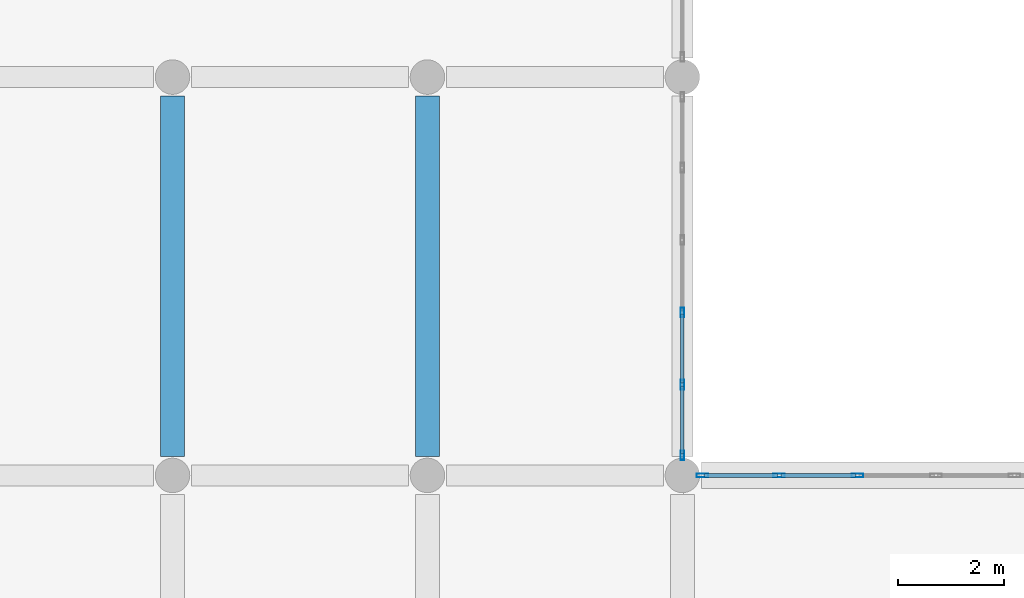
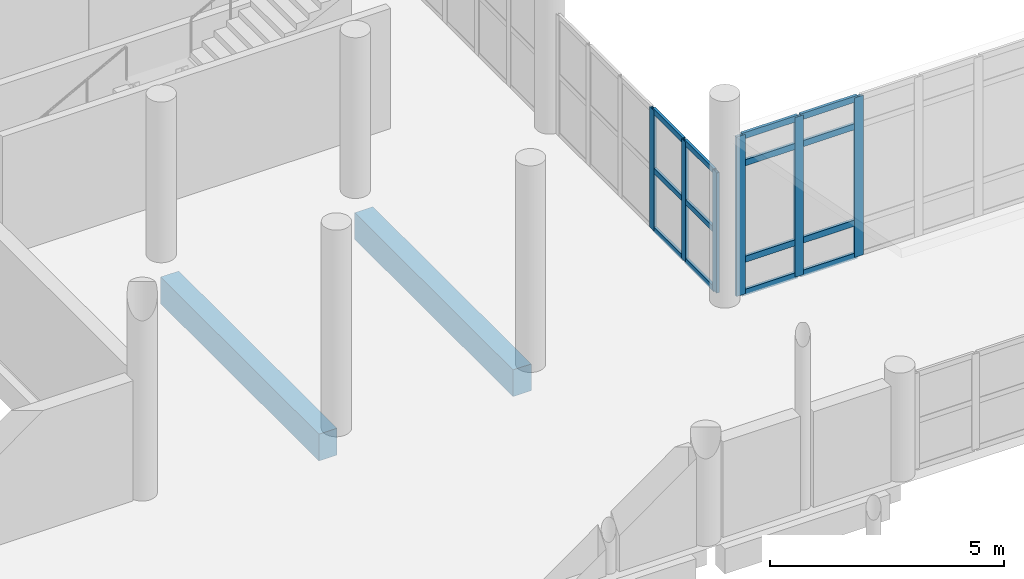
# One storey, part 61 of 164: 20 members, 2 beams, 2 elements without a shape of their own.
"""IFC4 building model written with IfcOpenShell, lengths in metres."""

from ifc_helpers import new_model, si_unit, direction, frame, origin, origin_2d, place, context, subcontext, project, spatial, rectangle, hollow_rectangle, extrude, material, layer, layer_set, material_profile, profile_set, type_object, element, aggregate, save


model = new_model("IFC4")

# Units and contexts
model_context = context("Model", 3, precision=1e-05, world=origin(), true_north=direction((0.0, 1.0)))
body_context = subcontext(model_context, "Body", "Model", "MODEL_VIEW")
ifc_project = project(units=[si_unit("LENGTHUNIT", "METRE"), si_unit("AREAUNIT", "SQUARE_METRE"), si_unit("VOLUMEUNIT", "CUBIC_METRE"), si_unit("PLANEANGLEUNIT", "RADIAN"), si_unit("MASSUNIT", "GRAM", prefix="KILO")], contexts=[model_context])

# Site, building, storey
site_placement = place(None, origin())
site = spatial("IfcSite", under=ifc_project, at=site_placement, CompositionType="ELEMENT")
building_placement = place(site_placement, origin())
building = spatial("IfcBuilding", under=site, at=building_placement, Name="Mawjan Specialist Oncology Clinic", CompositionType="ELEMENT")
storey_placement = place(building_placement, frame((0.0, 0.0, 5.0)))
storey = spatial("IfcBuildingStorey", under=building, at=storey_placement, Name="L01", CompositionType="ELEMENT", Elevation=5.0)

# Beams
ifc_material_1 = material(Name="Concrete C40/50", Category="concrete")
ifc_material_profile_1 = material_profile(ifc_material_1, rectangle(XDim=0.449951171875, YDim=0.699951171875, at=origin_2d()), Name="RC BM 450x700", Category="concrete")
ifc_profile_set_1 = profile_set([ifc_material_profile_1], Name="Concrete C40/50")
beam_type = type_object("IfcBeamType", Name="BM-450x700", PredefinedType="BEAM", material=ifc_profile_set_1)
for number, where, z_axis, x_axis, name in (
    (1, (98.39990234375, 53.659912109375, -0.64990234375), (0.0, 1.0, 0.0), (-1.0, 0.0, 0.0), "L01 Collector Beam BM-L01-0544"),
    (2, (103.199951171875, 53.659912109375, -0.64990234375), (0.0, 1.0, 0.0), (-1.0, 0.0, 0.0), "L01 Collector Beam BM-L01-0551"),
):
    element("IfcBeam", number, at=place(storey_placement, frame(where, z_axis=z_axis, x_axis=x_axis)), inside=storey, type_object=beam_type, Name=name, PredefinedType="BEAM", context=body_context, shape_type="SweptSolid", body=[
        extrude(rectangle(XDim=0.449951171875, YDim=0.699951171875, at=origin_2d()), origin(), (0.0, 0.0, 1.0), 6.780029296875),
    ])

# Curtain wall, members
ifc_material_2 = material(Name="Unitised spectrally selective aluminium curtain wall", Category="aluminium")
ifc_layer_1 = layer(ifc_material_2, 0.179931640625, Name="Unitised spectrally selective aluminium curtain wall", Category="aluminium")
ifc_layer_set_1 = layer_set([ifc_layer_1], Name="Unitised spectrally selective aluminium curtain wall")
curtain_wall_type_1 = type_object("IfcCurtainWallType", Name="CW-55", PredefinedType="NOTDEFINED", material=ifc_layer_set_1)
curtain_wall_1_placement = place(storey_placement, origin())
curtain_wall_1 = element("IfcCurtainWall", 3, at=curtain_wall_1_placement, inside=storey, type_object=curtain_wall_type_1, Name="L01 Unitised Curtain Wall CW-L01-134", PredefinedType="NOTDEFINED")
ifc_material_3 = material(Name="Thermally broken aluminium 6063-T6", Category="aluminium")
ifc_material_profile_2 = material_profile(ifc_material_3, hollow_rectangle(XDim=0.06494140625, YDim=0.179931640625, WallThickness=0.00390625, at=origin_2d()), Name="ALU MULLION 180x65x4", Category="aluminium")
ifc_profile_set_2 = profile_set([ifc_material_profile_2], Name="Thermally broken aluminium 6063-T6")
member_type_1 = type_object("IfcMemberType", Name="CW-M180", PredefinedType="MULLION", material=ifc_profile_set_2)
member_1_placement = place(storey_placement, frame((108.0, 56.368896484375, 0.0), z_axis=(0.0, 0.0, 1.0), x_axis=(1.0, 0.0, 0.0)))
member_1 = element("IfcMember", 4, at=member_1_placement, type_object=member_type_1, Name="CW-55 mullion 4", PredefinedType="MULLION", context=body_context, shape_type="SweptSolid", body=[
    extrude(hollow_rectangle(XDim=0.06494140625, YDim=0.179931640625, WallThickness=0.00390625, at=origin_2d()), origin(), (0.0, 0.0, 1.0), 3.139892578125),
])
member_2_placement = place(storey_placement, frame((108.0, 55.007080078125, 0.0), z_axis=(0.0, 0.0, 1.0), x_axis=(1.0, 0.0, 0.0)))
member_2 = element("IfcMember", 5, at=member_2_placement, type_object=member_type_1, Name="CW-55 mullion 5", PredefinedType="MULLION", context=body_context, shape_type="SweptSolid", body=[
    extrude(hollow_rectangle(XDim=0.06494140625, YDim=0.179931640625, WallThickness=0.00390625, at=origin_2d()), origin(), (0.0, 0.0, 1.0), 3.139892578125),
])
member_3_placement = place(storey_placement, frame((108.0, 53.677490234375, 0.0), z_axis=(0.0, 0.0, 1.0), x_axis=(1.0, 0.0, 0.0)))
member_3 = element("IfcMember", 6, at=member_3_placement, type_object=member_type_1, Name="CW-55 mullion 6", PredefinedType="MULLION", context=body_context, shape_type="SweptSolid", body=[
    extrude(hollow_rectangle(XDim=0.06494140625, YDim=0.179931640625, WallThickness=0.00390625, at=origin_2d()), origin(), (0.0, 0.0, 1.0), 3.139892578125),
])

ifc_material_4 = material(Name="Unitised spectrally selective aluminium curtain wall", Category="aluminium")
ifc_layer_2 = layer(ifc_material_4, 0.179931640625, Name="Unitised spectrally selective aluminium curtain wall", Category="aluminium")
ifc_layer_set_2 = layer_set([ifc_layer_2], Name="Unitised spectrally selective aluminium curtain wall")
curtain_wall_type_2 = type_object("IfcCurtainWallType", Name="CW-67", PredefinedType="NOTDEFINED", material=ifc_layer_set_2)
curtain_wall_2_placement = place(storey_placement, origin())
curtain_wall_2 = element("IfcCurtainWall", 7, at=curtain_wall_2_placement, inside=storey, type_object=curtain_wall_type_2, Name="L01 Unitised Curtain Wall CW-L01-135", PredefinedType="NOTDEFINED")
ifc_material_5 = material(Name="Thermally broken aluminium 6063-T6", Category="aluminium")
ifc_material_profile_3 = material_profile(ifc_material_5, hollow_rectangle(XDim=0.070068359375, YDim=0.219970703125, WallThickness=0.00390625, at=origin_2d()), Name="ALU MULLION 220x70x4", Category="aluminium")
ifc_profile_set_3 = profile_set([ifc_material_profile_3], Name="Thermally broken aluminium 6063-T6")
member_type_2 = type_object("IfcMemberType", Name="CW-M220", PredefinedType="MULLION", material=ifc_profile_set_3)
member_4_placement = place(storey_placement, frame((108.3798828125, 53.300048828125, 0.0), z_axis=(0.0, 0.0, 1.0), x_axis=(0.0, 1.0, 0.0)))
member_4 = element("IfcMember", 8, at=member_4_placement, type_object=member_type_2, Name="CW-67 mullion 1", PredefinedType="MULLION", context=body_context, shape_type="SweptSolid", body=[
    extrude(hollow_rectangle(XDim=0.070068359375, YDim=0.219970703125, WallThickness=0.00390625, at=origin_2d()), origin(), (0.0, 0.0, 1.0), 4.169921875),
])
member_5_placement = place(storey_placement, frame((109.822021484375, 53.300048828125, 0.0), z_axis=(0.0, 0.0, 1.0), x_axis=(0.0, 1.0, 0.0)))
member_5 = element("IfcMember", 9, at=member_5_placement, type_object=member_type_2, Name="CW-67 mullion 2", PredefinedType="MULLION", context=body_context, shape_type="SweptSolid", body=[
    extrude(hollow_rectangle(XDim=0.070068359375, YDim=0.219970703125, WallThickness=0.00390625, at=origin_2d()), origin(), (0.0, 0.0, 1.0), 4.169921875),
])
member_6_placement = place(storey_placement, frame((111.299072265625, 53.300048828125, 0.0), z_axis=(0.0, 0.0, 1.0), x_axis=(0.0, 1.0, 0.0)))
member_6 = element("IfcMember", 10, at=member_6_placement, type_object=member_type_2, Name="CW-67 mullion 3", PredefinedType="MULLION", context=body_context, shape_type="SweptSolid", body=[
    extrude(hollow_rectangle(XDim=0.070068359375, YDim=0.219970703125, WallThickness=0.00390625, at=origin_2d()), origin(), (0.0, 0.0, 1.0), 4.169921875),
])

# Member
ifc_material_6 = material(Name="Thermally broken aluminium 6063-T6", Category="aluminium")
ifc_material_profile_4 = material_profile(ifc_material_6, hollow_rectangle(XDim=0.06494140625, YDim=0.139892578125, WallThickness=0.00390625, at=origin_2d()), Name="ALU TRANSOM 140x65x4", Category="aluminium")
ifc_profile_set_4 = profile_set([ifc_material_profile_4], Name="Thermally broken aluminium 6063-T6")
member_type_3 = type_object("IfcMemberType", Name="CW-T140", PredefinedType="USERDEFINED", material=ifc_profile_set_4)
member_7_placement = place(storey_placement, frame((108.0, 56.33642578125, 0.032470703125), z_axis=(0.0, -1.0, 0.0), x_axis=(1.0, 0.0, 0.0)))
member_7 = element("IfcMember", 11, at=member_7_placement, type_object=member_type_3, Name="CW-55 transom 4.1", ObjectType="TRANSOM", PredefinedType="USERDEFINED", context=body_context, shape_type="SweptSolid", body=[
    extrude(hollow_rectangle(XDim=0.06494140625, YDim=0.139892578125, WallThickness=0.00390625, at=origin_2d()), origin(), (0.0, 0.0, 1.0), 1.296875),
])

member_8_placement = place(storey_placement, frame((108.0, 56.33642578125, 1.570068359375), z_axis=(0.0, -1.0, 0.0), x_axis=(1.0, 0.0, 0.0)))
member_8 = element("IfcMember", 12, at=member_8_placement, type_object=member_type_3, Name="CW-55 transom 4.2", ObjectType="TRANSOM", PredefinedType="USERDEFINED", context=body_context, shape_type="SweptSolid", body=[
    extrude(hollow_rectangle(XDim=0.06494140625, YDim=0.139892578125, WallThickness=0.00390625, at=origin_2d()), origin(), (0.0, 0.0, 1.0), 1.296875),
])

member_9_placement = place(storey_placement, frame((108.0, 56.33642578125, 3.107421875), z_axis=(0.0, -1.0, 0.0), x_axis=(1.0, 0.0, 0.0)))
member_9 = element("IfcMember", 13, at=member_9_placement, type_object=member_type_3, Name="CW-55 transom 4.3", ObjectType="TRANSOM", PredefinedType="USERDEFINED", context=body_context, shape_type="SweptSolid", body=[
    extrude(hollow_rectangle(XDim=0.06494140625, YDim=0.139892578125, WallThickness=0.00390625, at=origin_2d()), origin(), (0.0, 0.0, 1.0), 1.296875),
])

member_10_placement = place(storey_placement, frame((108.0, 54.974609375, 0.032470703125), z_axis=(0.0, -1.0, 0.0), x_axis=(1.0, 0.0, 0.0)))
member_10 = element("IfcMember", 14, at=member_10_placement, type_object=member_type_3, Name="CW-55 transom 5.1", ObjectType="TRANSOM", PredefinedType="USERDEFINED", context=body_context, shape_type="SweptSolid", body=[
    extrude(hollow_rectangle(XDim=0.06494140625, YDim=0.139892578125, WallThickness=0.00390625, at=origin_2d()), origin(), (0.0, 0.0, 1.0), 1.2646484375),
])

member_11_placement = place(storey_placement, frame((108.0, 54.974609375, 1.570068359375), z_axis=(0.0, -1.0, 0.0), x_axis=(1.0, 0.0, 0.0)))
member_11 = element("IfcMember", 15, at=member_11_placement, type_object=member_type_3, Name="CW-55 transom 5.2", ObjectType="TRANSOM", PredefinedType="USERDEFINED", context=body_context, shape_type="SweptSolid", body=[
    extrude(hollow_rectangle(XDim=0.06494140625, YDim=0.139892578125, WallThickness=0.00390625, at=origin_2d()), origin(), (0.0, 0.0, 1.0), 1.2646484375),
])

member_12_placement = place(storey_placement, frame((108.0, 54.974609375, 3.107421875), z_axis=(0.0, -1.0, 0.0), x_axis=(1.0, 0.0, 0.0)))
member_12 = element("IfcMember", 16, at=member_12_placement, type_object=member_type_3, Name="CW-55 transom 5.3", ObjectType="TRANSOM", PredefinedType="USERDEFINED", context=body_context, shape_type="SweptSolid", body=[
    extrude(hollow_rectangle(XDim=0.06494140625, YDim=0.139892578125, WallThickness=0.00390625, at=origin_2d()), origin(), (0.0, 0.0, 1.0), 1.2646484375),
])

aggregate(curtain_wall_1, [member_1, member_2, member_3, member_7, member_8, member_9, member_10, member_11, member_12])

ifc_material_7 = material(Name="Thermally broken aluminium 6063-T6", Category="aluminium")
ifc_material_profile_5 = material_profile(ifc_material_7, hollow_rectangle(XDim=0.070068359375, YDim=0.159912109375, WallThickness=0.00390625, at=origin_2d()), Name="ALU TRANSOM 160x70x4", Category="aluminium")
ifc_profile_set_5 = profile_set([ifc_material_profile_5], Name="Thermally broken aluminium 6063-T6")
member_type_4 = type_object("IfcMemberType", Name="CW-T160", PredefinedType="USERDEFINED", material=ifc_profile_set_5)
member_13_placement = place(storey_placement, frame((108.4150390625, 53.300048828125, 0.034912109375), z_axis=(1.0, 0.0, 0.0), x_axis=(0.0, 1.0, 0.0)))
member_13 = element("IfcMember", 17, at=member_13_placement, type_object=member_type_4, Name="CW-67 transom 1.1", ObjectType="TRANSOM", PredefinedType="USERDEFINED", context=body_context, shape_type="SweptSolid", body=[
    extrude(hollow_rectangle(XDim=0.070068359375, YDim=0.159912109375, WallThickness=0.00390625, at=origin_2d()), origin(), (0.0, 0.0, 1.0), 1.3720703125),
])

member_14_placement = place(storey_placement, frame((108.4150390625, 53.300048828125, 0.89990234375), z_axis=(1.0, 0.0, 0.0), x_axis=(0.0, 1.0, 0.0)))
member_14 = element("IfcMember", 18, at=member_14_placement, type_object=member_type_4, Name="CW-67 transom 1.2", ObjectType="TRANSOM", PredefinedType="USERDEFINED", context=body_context, shape_type="SweptSolid", body=[
    extrude(hollow_rectangle(XDim=0.070068359375, YDim=0.159912109375, WallThickness=0.00390625, at=origin_2d()), origin(), (0.0, 0.0, 1.0), 1.3720703125),
])

member_15_placement = place(storey_placement, frame((108.4150390625, 53.300048828125, 3.419921875), z_axis=(1.0, 0.0, 0.0), x_axis=(0.0, 1.0, 0.0)))
member_15 = element("IfcMember", 19, at=member_15_placement, type_object=member_type_4, Name="CW-67 transom 1.3", ObjectType="TRANSOM", PredefinedType="USERDEFINED", context=body_context, shape_type="SweptSolid", body=[
    extrude(hollow_rectangle(XDim=0.070068359375, YDim=0.159912109375, WallThickness=0.00390625, at=origin_2d()), origin(), (0.0, 0.0, 1.0), 1.3720703125),
])

member_16_placement = place(storey_placement, frame((108.4150390625, 53.300048828125, 4.135009765625), z_axis=(1.0, 0.0, 0.0), x_axis=(0.0, 1.0, 0.0)))
member_16 = element("IfcMember", 20, at=member_16_placement, type_object=member_type_4, Name="CW-67 transom 1.4", ObjectType="TRANSOM", PredefinedType="USERDEFINED", context=body_context, shape_type="SweptSolid", body=[
    extrude(hollow_rectangle(XDim=0.070068359375, YDim=0.159912109375, WallThickness=0.00390625, at=origin_2d()), origin(), (0.0, 0.0, 1.0), 1.3720703125),
])

member_17_placement = place(storey_placement, frame((109.85693359375, 53.300048828125, 0.034912109375), z_axis=(1.0, 0.0, 0.0), x_axis=(0.0, 1.0, 0.0)))
member_17 = element("IfcMember", 21, at=member_17_placement, type_object=member_type_4, Name="CW-67 transom 2.1", ObjectType="TRANSOM", PredefinedType="USERDEFINED", context=body_context, shape_type="SweptSolid", body=[
    extrude(hollow_rectangle(XDim=0.070068359375, YDim=0.159912109375, WallThickness=0.00390625, at=origin_2d()), origin(), (0.0, 0.0, 1.0), 1.406982421875),
])

member_18_placement = place(storey_placement, frame((109.85693359375, 53.300048828125, 0.89990234375), z_axis=(1.0, 0.0, 0.0), x_axis=(0.0, 1.0, 0.0)))
member_18 = element("IfcMember", 22, at=member_18_placement, type_object=member_type_4, Name="CW-67 transom 2.2", ObjectType="TRANSOM", PredefinedType="USERDEFINED", context=body_context, shape_type="SweptSolid", body=[
    extrude(hollow_rectangle(XDim=0.070068359375, YDim=0.159912109375, WallThickness=0.00390625, at=origin_2d()), origin(), (0.0, 0.0, 1.0), 1.406982421875),
])

member_19_placement = place(storey_placement, frame((109.85693359375, 53.300048828125, 3.419921875), z_axis=(1.0, 0.0, 0.0), x_axis=(0.0, 1.0, 0.0)))
member_19 = element("IfcMember", 23, at=member_19_placement, type_object=member_type_4, Name="CW-67 transom 2.3", ObjectType="TRANSOM", PredefinedType="USERDEFINED", context=body_context, shape_type="SweptSolid", body=[
    extrude(hollow_rectangle(XDim=0.070068359375, YDim=0.159912109375, WallThickness=0.00390625, at=origin_2d()), origin(), (0.0, 0.0, 1.0), 1.406982421875),
])

member_20_placement = place(storey_placement, frame((109.85693359375, 53.300048828125, 4.135009765625), z_axis=(1.0, 0.0, 0.0), x_axis=(0.0, 1.0, 0.0)))
member_20 = element("IfcMember", 24, at=member_20_placement, type_object=member_type_4, Name="CW-67 transom 2.4", ObjectType="TRANSOM", PredefinedType="USERDEFINED", context=body_context, shape_type="SweptSolid", body=[
    extrude(hollow_rectangle(XDim=0.070068359375, YDim=0.159912109375, WallThickness=0.00390625, at=origin_2d()), origin(), (0.0, 0.0, 1.0), 1.406982421875),
])

aggregate(curtain_wall_2, [member_4, member_5, member_6, member_13, member_14, member_15, member_16, member_17, member_18, member_19, member_20])

save(model, "model.ifc")
